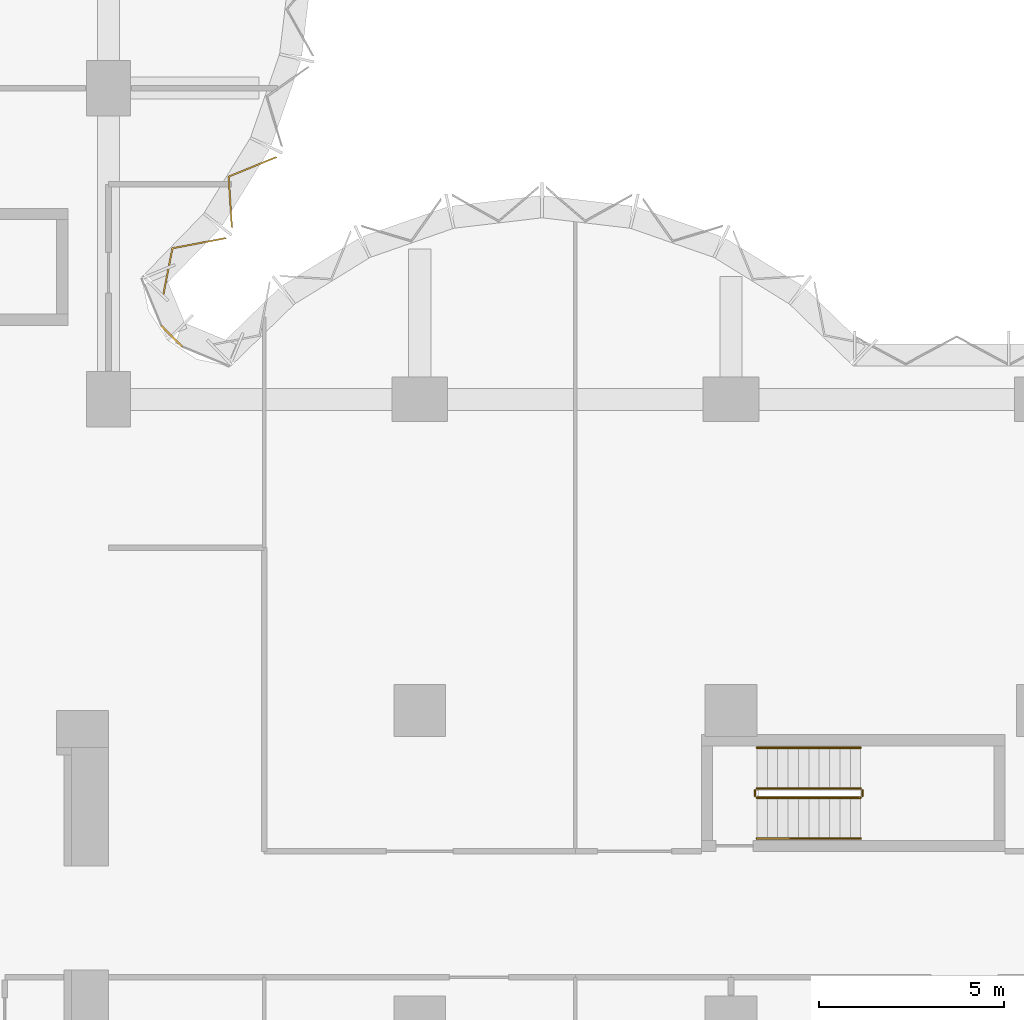
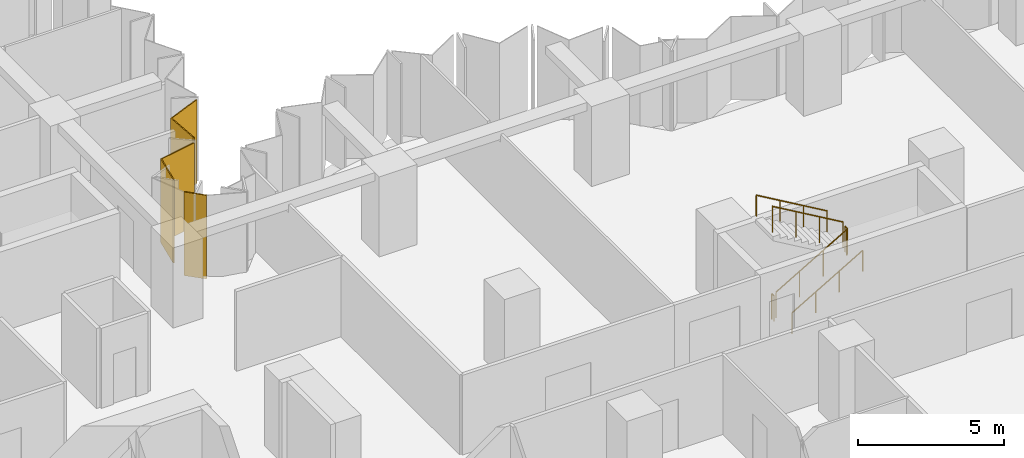
# One storey, part 14 of 15: 6 railings, 3 coverings, 2 elements without a shape of their own.
"""IFC4 building model written with IfcOpenShell, lengths in metres."""

from ifc_helpers import new_model, si_unit, direction, frame, origin, origin_2d, place, context, subcontext, project, spatial, polyline, circle, outline, extrude, material, layer, layer_set, type_object, element, aggregate, save


model = new_model("IFC4")

# Units and contexts
model_context = context("Model", 3, precision=1e-05, world=origin(), true_north=direction((0.0, 1.0)))
body_context = subcontext(model_context, "Body", "Model", "MODEL_VIEW")
ifc_project = project(units=[si_unit("LENGTHUNIT", "METRE"), si_unit("AREAUNIT", "SQUARE_METRE"), si_unit("VOLUMEUNIT", "CUBIC_METRE"), si_unit("PLANEANGLEUNIT", "RADIAN"), si_unit("MASSUNIT", "GRAM", prefix="KILO")], contexts=[model_context])

# Site, building, storey
site_placement = place(None, origin())
site = spatial("IfcSite", under=ifc_project, at=site_placement, CompositionType="ELEMENT")
building_placement = place(site_placement, origin())
building = spatial("IfcBuilding", under=site, at=building_placement, Name="Brevane Broadcast Tower", CompositionType="ELEMENT")
storey_placement = place(building_placement, frame((0.0, 0.0, 50.89990234375)))
storey = spatial("IfcBuildingStorey", under=building, at=storey_placement, Name="L10", CompositionType="ELEMENT", Elevation=50.89990234375)

# Railings
ifc_material_1 = material(Name="Steel S355", Category="steel")
railing_type_1 = type_object("IfcRailingType", Name="Exit stair guard", PredefinedType="GUARDRAIL", material=ifc_material_1)
railing_1_placement = place(storey_placement, frame((42.699951171875, 14.449951171875, 0.163818359375)))
element("IfcRailing", 1, at=railing_1_placement, inside=storey, type_object=railing_type_1, Name="L10 ST-4 stair guard 1", PredefinedType="GUARDRAIL", context=body_context, shape_type="SweptSolid", body=[
    extrude(circle(Radius=0.02392578125, at=origin_2d()), frame((0.0, 0.0, 1.076171875), z_axis=(0.863393664356, 0.0, 0.504530851732), x_axis=(0.0, 1.0, 0.0)), (0.0, 0.0, 1.0), 3.2431640625),
    extrude(circle(Radius=0.02099609375, at=origin_2d()), origin(), (0.0, 0.0, 1.0), 1.052001953125),
    extrude(circle(Radius=0.02099609375, at=origin_2d()), frame((0.933349609375, 0.0, 0.54541015625)), (0.0, 0.0, 1.0), 1.052001953125),
    extrude(circle(Radius=0.02099609375, at=origin_2d()), frame((1.86669921875, 0.0, 1.0908203125)), (0.0, 0.0, 1.0), 1.052001953125),
    extrude(circle(Radius=0.02099609375, at=origin_2d()), frame((2.800048828125, 0.0, 1.63623046875)), (0.0, 0.0, 1.0), 1.052001953125),
])
railing_2_placement = place(storey_placement, frame((45.550048828125, 14.5, 1.800048828125)))
element("IfcRailing", 2, at=railing_2_placement, inside=storey, type_object=railing_type_1, Name="L10 ST-4 stair guard 2", PredefinedType="GUARDRAIL", context=body_context, shape_type="SweptSolid", body=[
    extrude(circle(Radius=0.02392578125, at=origin_2d()), frame((0.0, 0.0, 1.076171875), z_axis=(0.0, 1.0, 0.0), x_axis=(-1.0, 0.0, 0.0)), (0.0, 0.0, 1.0), 0.14990234375),
    extrude(circle(Radius=0.02099609375, at=origin_2d()), origin(), (0.0, 0.0, 1.0), 1.052001953125),
    extrude(circle(Radius=0.02099609375, at=origin_2d()), frame((0.0, 0.14990234375, 0.0)), (0.0, 0.0, 1.0), 1.052001953125),
])
railing_3_placement = place(storey_placement, frame((45.5, 14.699951171875, 1.963623046875)))
element("IfcRailing", 3, at=railing_3_placement, inside=storey, type_object=railing_type_1, Name="L10 ST-4 stair guard 3", PredefinedType="GUARDRAIL", context=body_context, shape_type="SweptSolid", body=[
    extrude(circle(Radius=0.02392578125, at=origin_2d()), frame((0.0, 0.0, 1.076171875), z_axis=(-0.863360870873, 0.0, 0.504586966384), x_axis=(0.0, -1.0, 0.0)), (0.0, 0.0, 1.0), 3.2431640625),
    extrude(circle(Radius=0.02099609375, at=origin_2d()), origin(), (0.0, 0.0, 1.0), 1.052001953125),
    extrude(circle(Radius=0.02099609375, at=origin_2d()), frame((-0.933349609375, 0.0, 0.54541015625)), (0.0, 0.0, 1.0), 1.052001953125),
    extrude(circle(Radius=0.02099609375, at=origin_2d()), frame((-1.86669921875, 0.0, 1.091064453125)), (0.0, 0.0, 1.0), 1.052001953125),
    extrude(circle(Radius=0.02099609375, at=origin_2d()), frame((-2.800048828125, 0.0, 1.636474609375)), (0.0, 0.0, 1.0), 1.052001953125),
])
railing_4_placement = place(storey_placement, frame((42.64990234375, 14.5, 0.0)))
element("IfcRailing", 4, at=railing_4_placement, inside=storey, type_object=railing_type_1, Name="L10 ST-4 stair guard 4", PredefinedType="GUARDRAIL", context=body_context, shape_type="SweptSolid", body=[
    extrude(circle(Radius=0.02392578125, at=origin_2d()), frame((0.0, 0.0, 1.076171875), z_axis=(0.0, 1.0, 0.0), x_axis=(-1.0, 0.0, 0.0)), (0.0, 0.0, 1.0), 0.14990234375),
    extrude(circle(Radius=0.02099609375, at=origin_2d()), origin(), (0.0, 0.0, 1.0), 1.052001953125),
    extrude(circle(Radius=0.02099609375, at=origin_2d()), frame((0.0, 0.14990234375, 0.0)), (0.0, 0.0, 1.0), 1.052001953125),
])
railing_type_2 = type_object("IfcRailingType", Name="Exit stair handrail", PredefinedType="HANDRAIL", material=ifc_material_1)
railing_5_placement = place(storey_placement, frame((42.699951171875, 13.35009765625, 0.163818359375)))
element("IfcRailing", 5, at=railing_5_placement, inside=storey, type_object=railing_type_2, Name="L10 ST-4 stair handrail 1", PredefinedType="HANDRAIL", context=body_context, shape_type="SweptSolid", body=[
    extrude(circle(Radius=0.02392578125, at=origin_2d()), frame((0.0, 0.0, 0.8759765625), z_axis=(0.863393664356, 0.0, 0.504530851732), x_axis=(0.0, 1.0, 0.0)), (0.0, 0.0, 1.0), 3.2431640625),
    extrude(circle(Radius=0.02099609375, at=origin_2d()), origin(), (0.0, 0.0, 1.0), 0.851806640625),
    extrude(circle(Radius=0.02099609375, at=origin_2d()), frame((0.933349609375, 0.0, 0.54541015625)), (0.0, 0.0, 1.0), 0.851806640625),
    extrude(circle(Radius=0.02099609375, at=origin_2d()), frame((1.86669921875, 0.0, 1.0908203125)), (0.0, 0.0, 1.0), 0.851806640625),
    extrude(circle(Radius=0.02099609375, at=origin_2d()), frame((2.800048828125, 0.0, 1.63623046875)), (0.0, 0.0, 1.0), 0.851806640625),
])
railing_6_placement = place(storey_placement, frame((45.5, 15.800048828125, 1.963623046875)))
element("IfcRailing", 6, at=railing_6_placement, inside=storey, type_object=railing_type_2, Name="L10 ST-4 stair handrail 2", PredefinedType="HANDRAIL", context=body_context, shape_type="SweptSolid", body=[
    extrude(circle(Radius=0.02392578125, at=origin_2d()), frame((0.0, 0.0, 0.8759765625), z_axis=(-0.863360870873, 0.0, 0.504586966384), x_axis=(0.0, -1.0, 0.0)), (0.0, 0.0, 1.0), 3.2431640625),
    extrude(circle(Radius=0.02099609375, at=origin_2d()), origin(), (0.0, 0.0, 1.0), 0.851806640625),
    extrude(circle(Radius=0.02099609375, at=origin_2d()), frame((-0.933349609375, 0.0, 0.54541015625)), (0.0, 0.0, 1.0), 0.851806640625),
    extrude(circle(Radius=0.02099609375, at=origin_2d()), frame((-1.86669921875, 0.0, 1.091064453125)), (0.0, 0.0, 1.0), 0.851806640625),
    extrude(circle(Radius=0.02099609375, at=origin_2d()), frame((-2.800048828125, 0.0, 1.636474609375)), (0.0, 0.0, 1.0), 0.851806640625),
])

# Curtain wall, coverings
ifc_material_2 = material(Name="Aluminium 6063-T6 bronze anodised", Category="aluminium")
curtain_wall_type = type_object("IfcCurtainWallType", Name="CW-1 curtain wall", PredefinedType="NOTDEFINED", material=ifc_material_2)
curtain_wall_1_placement = place(storey_placement, origin())
curtain_wall_1 = element("IfcCurtainWall", 7, at=curtain_wall_1_placement, inside=storey, type_object=curtain_wall_type, Name="CW-1 typical tilted unit L10 north bow", PredefinedType="NOTDEFINED")
ifc_material_3 = material(Name="Back-painted bronze glass shadow-box", Category="glass")
ifc_layer = layer(ifc_material_3, 0.0400390625)
ifc_layer_set = layer_set([ifc_layer], Name="Shadow-box panel 40")
covering_type = type_object("IfcCoveringType", Name="Shadow-box panel 40", PredefinedType="CLADDING", material=ifc_layer_set)
covering_1_placement = place(storey_placement, frame((0.0, 0.0, -0.14990234375)))
covering_1 = element("IfcCovering", 8, at=covering_1_placement, type_object=covering_type, Name="Shadow-box panel", PredefinedType="CLADDING", context=body_context, shape_type="SweptSolid", body=[
    extrude(outline(polyline([(26.656005859375, 28.008544921875), (26.690185546875, 27.975341796875), (26.9423828125, 29.2607421875), (28.3857421875, 29.535888671875), (28.34375, 29.568603515625), (26.908203125, 29.294921875), (26.656005859375, 28.008544921875)])), origin(), (0.0, 0.0, 1.0), 3.5),
])
covering_2_placement = place(storey_placement, frame((0.0, 0.0, -0.14990234375)))
covering_2 = element("IfcCovering", 9, at=covering_2_placement, type_object=covering_type, Name="Shadow-box panel", PredefinedType="CLADDING", context=body_context, shape_type="SweptSolid", body=[
    extrude(outline(polyline([(28.5087890625, 29.849609375), (28.551025390625, 29.816650390625), (28.462890625, 31.198486328125), (29.76171875, 31.729736328125), (29.712890625, 31.753173828125), (28.42138671875, 31.224609375), (28.5087890625, 29.849609375)])), origin(), (0.0, 0.0, 1.0), 3.5),
])
aggregate(curtain_wall_1, [covering_1, covering_2])

# Curtain wall, covering
curtain_wall_2_placement = place(storey_placement, origin())
curtain_wall_2 = element("IfcCurtainWall", 10, at=curtain_wall_2_placement, inside=storey, type_object=curtain_wall_type, Name="CW-1 typical tilted unit L10 inner corner", PredefinedType="NOTDEFINED")
covering_3_placement = place(storey_placement, frame((0.0, 0.0, -0.14990234375)))
covering_3 = element("IfcCovering", 11, at=covering_3_placement, type_object=covering_type, Name="Closure panel", PredefinedType="CLADDING", context=body_context, shape_type="SweptSolid", body=[
    extrude(outline(polyline([(27.17138671875, 26.60498046875), (27.2021484375, 26.635498046875), (26.635498046875, 27.2021484375), (26.60498046875, 27.17138671875), (27.17138671875, 26.60498046875)])), origin(), (0.0, 0.0, 1.0), 3.5),
])
aggregate(curtain_wall_2, [covering_3])

save(model, "model.ifc")
